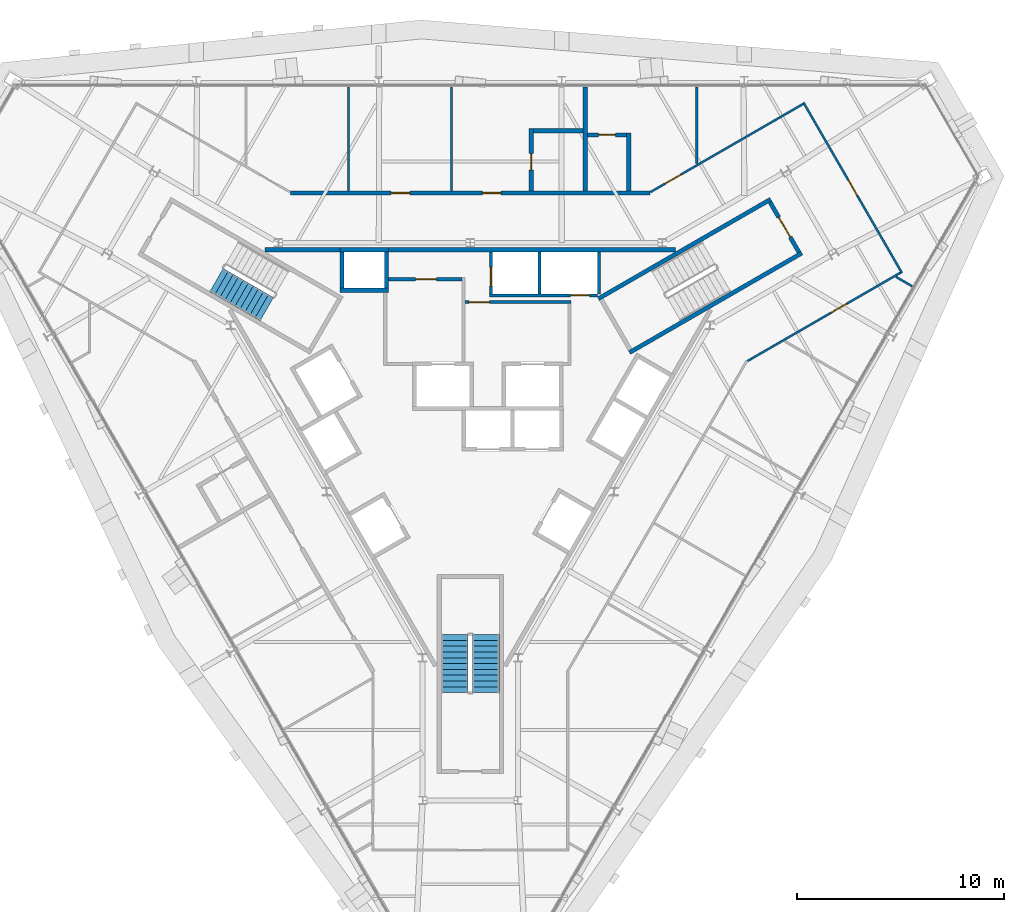
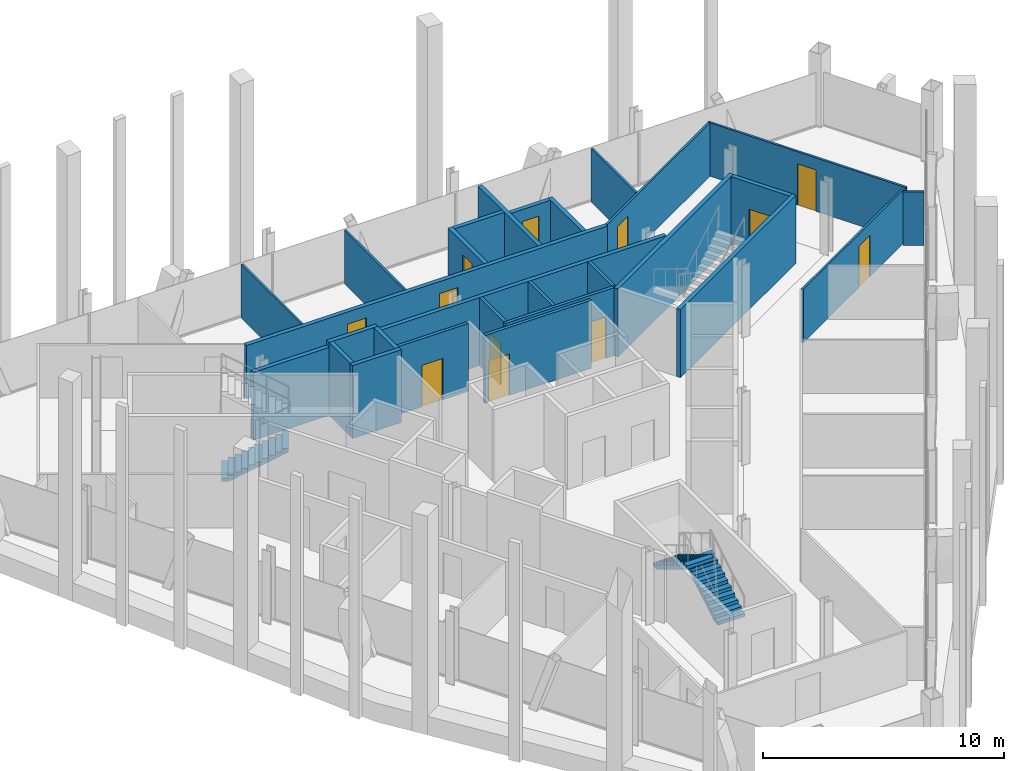
# One storey, part 11 of 14: 28 walls, 12 doors, 3 stair flights, 12 openings, 2 elements without a shape of their own.
"""IFC4 building model written with IfcOpenShell, lengths in metres."""

from ifc_helpers import new_model, si_unit, direction, frame, frame_2d, origin, place, context, subcontext, project, spatial, polyline, rectangle, outline, extrude, material, layer, layer_set, type_object, element, fill, aggregate, save


model = new_model("IFC4")

# Units and contexts
model_context = context("Model", 3, precision=1e-05, world=origin(), true_north=direction((0.0, 1.0)))
body_context = subcontext(model_context, "Body", "Model", "MODEL_VIEW")
ifc_project = project(units=[si_unit("LENGTHUNIT", "METRE"), si_unit("AREAUNIT", "SQUARE_METRE"), si_unit("VOLUMEUNIT", "CUBIC_METRE"), si_unit("PLANEANGLEUNIT", "RADIAN"), si_unit("MASSUNIT", "GRAM", prefix="KILO")], contexts=[model_context])

# Site, building, storey
site_placement = place(None, origin())
site = spatial("IfcSite", under=ifc_project, at=site_placement, CompositionType="ELEMENT")
building_placement = place(site_placement, origin())
building = spatial("IfcBuilding", under=site, at=building_placement, Name="Verrane Prism Tower", CompositionType="ELEMENT")
storey_placement = place(building_placement, frame((0.0, 0.0, 217.5)))
storey = spatial("IfcBuildingStorey", under=building, at=storey_placement, Name="L54", CompositionType="ELEMENT", Elevation=217.5)

# Walls
ifc_material_1 = material(Name="Gypsum board partition", Category="other")
ifc_layer_1 = layer(ifc_material_1, 0.199951171875)
ifc_layer_set_1 = layer_set([ifc_layer_1], Name="CW-200 core boundary wall 2 h")
wall_type_1 = type_object("IfcWallType", Name="CW-200 core boundary wall 2 h", PredefinedType="PARTITIONING", material=ifc_layer_set_1)
wall_1_placement = place(storey_placement, frame((-9.907958984375, 7.659912109375, 0.0), z_axis=(0.0, 0.0, 1.0), x_axis=(1.0, 0.0, 0.0)))
element("IfcWall", 1, at=wall_1_placement, inside=storey, type_object=wall_type_1, Name="Core boundary wall CW3-002", PredefinedType="PARTITIONING", context=body_context, shape_type="SweptSolid", body=[
    extrude(rectangle(XDim=3.620849609375, YDim=0.199951171875, at=frame_2d((1.810546875, 0.0))), origin(), (0.0, 0.0, 1.0), 3.449951171875),
])
wall_2_placement = place(storey_placement, frame((-3.93310546875, 7.659912109375, 0.0), z_axis=(0.0, 0.0, 1.0), x_axis=(1.0, 0.0, 0.0)))
element("IfcWall", 2, at=wall_2_placement, inside=storey, type_object=wall_type_1, Name="Core boundary wall CW3-005", PredefinedType="PARTITIONING", context=body_context, shape_type="SweptSolid", body=[
    extrude(rectangle(XDim=13.841064453125, YDim=0.199951171875, at=frame_2d((6.92041015625, 0.0))), origin(), (0.0, 0.0, 1.0), 3.449951171875),
])

# Wall, opening, door
ifc_material_2 = material(Name="Concrete C40/50", Category="concrete")
ifc_layer_2 = layer(ifc_material_2, 0.199951171875)
ifc_layer_set_2 = layer_set([ifc_layer_2], Name="CW-200 stair core wall concrete C40/50 3 h")
wall_type_2 = type_object("IfcWallType", Name="CW-200 stair core wall concrete C40/50 3 h", PredefinedType="PARTITIONING", material=ifc_layer_set_2)
wall_3_placement = place(storey_placement, frame((15.85546875, 7.53759765625, 0.0), z_axis=(0.0, 0.0, 1.0), x_axis=(-0.500049511043, 0.865996816683, 0.0)))
wall_3 = element("IfcWall", 3, at=wall_3_placement, inside=storey, type_object=wall_type_2, Name="Stair 1 enclosure wall", PredefinedType="PARTITIONING", context=body_context, shape_type="SweptSolid", body=[
    extrude(rectangle(XDim=2.800048828125, YDim=0.199951171875, at=frame_2d((1.39990234375, 0.0))), origin(), (0.0, 0.0, 1.0), 3.449951171875),
])
opening_1_placement = place(wall_3_placement, frame((0.849853515625, 0.0, 0.0)))
opening_1 = element("IfcOpeningElement", 4, at=opening_1_placement, cuts=wall_3, Name="Opening D54500", PredefinedType="OPENING", context=body_context, shape_type="SweptSolid", body=[
    extrude(rectangle(XDim=1.10009765625, YDim=2.10009765625, at=frame_2d((0.550048828125, 1.050048828125))), frame((0.0, 0.10986328125, 0.0), z_axis=(0.0, -1.0, 0.0), x_axis=(1.0, 0.0, 0.0)), (0.0, 0.0, 1.0), 0.219970703125),
])
ifc_material_3 = material(Name="Timber veneered door leaf", Category="wood")
door_type_1 = type_object("IfcDoorType", Name="DR-1100x2100 FD90 single leaf stair", OperationType="NOTDEFINED", PredefinedType="DOOR", material=ifc_material_3)
door_1_placement = place(opening_1_placement, origin())
door_1 = element("IfcDoor", 5, at=door_1_placement, inside=storey, type_object=door_type_1, Name="Stair 1 door", OperationType="SINGLE_SWING_LEFT", OverallHeight=2.10009765625, OverallWidth=1.10009765625, PredefinedType="DOOR", context=body_context, shape_type="SweptSolid", body=[
    extrude(rectangle(XDim=1.10009765625, YDim=2.10009765625, at=frame_2d((0.550048828125, 1.050048828125))), frame((0.0, 0.02490234375, 0.0), z_axis=(0.0, -1.0, 0.0), x_axis=(1.0, 0.0, 0.0)), (0.0, 0.0, 1.0), 0.050048828125),
])
fill(opening_1, door_1)

# Walls
for number, where, z_axis, x_axis, name in (
    (6, (6.17822265625, 5.299072265625, 0.0), (0.0, 0.0, 1.0), (0.866019993635, 0.500009370536, 0.0), "Stair 1 enclosure wall"),
    (7, (7.67822265625, 2.700927734375, 0.0), (0.0, 0.0, 1.0), (0.866019993635, 0.500009370536, 0.0), "Stair 1 enclosure wall"),
):
    element("IfcWall", number, at=place(storey_placement, frame(where, z_axis=z_axis, x_axis=x_axis)), inside=storey, type_object=wall_type_2, Name=name, PredefinedType="PARTITIONING", context=body_context, shape_type="SweptSolid", body=[
        extrude(rectangle(XDim=9.599853515625, YDim=0.199951171875, at=frame_2d((4.7998046875, 0.0))), origin(), (0.0, 0.0, 1.0), 3.449951171875),
    ])
ifc_material_4 = material(Name="Gypsum board shaft wall assembly", Category="other")
ifc_layer_3 = layer(ifc_material_4, 0.199951171875)
ifc_layer_set_3 = layer_set([ifc_layer_3], Name="HW-200 lift shaft wall 2 h")
wall_type_3 = type_object("IfcWallType", Name="HW-200 lift shaft wall 2 h", PredefinedType="PARTITIONING", material=ifc_layer_set_3)
for number, where, z_axis, x_axis, name in (
    (8, (-6.284912109375, 5.7099609375, 0.0), (0.0, 0.0, 1.0), (1.0, 0.0, 0.0), "Lift shaft wall"),
    (9, (-6.284912109375, 7.659912109375, 0.0), (0.0, 0.0, 1.0), (1.0, 0.0, 0.0), "Lift shaft wall"),
):
    element("IfcWall", number, at=place(storey_placement, frame(where, z_axis=z_axis, x_axis=x_axis)), inside=storey, type_object=wall_type_3, Name=name, PredefinedType="PARTITIONING", context=body_context, shape_type="SweptSolid", body=[
        extrude(rectangle(XDim=2.349853515625, YDim=0.199951171875, at=frame_2d((1.1748046875, 0.0))), origin(), (0.0, 0.0, 1.0), 3.699951171875),
    ])
for number, where, z_axis, x_axis, name in (
    (10, (-4.034912109375, 5.81005859375, 0.0), (0.0, 0.0, 1.0), (0.0, 1.0, 0.0), "Lift shaft wall"),
    (11, (-6.18505859375, 5.81005859375, 0.0), (0.0, 0.0, 1.0), (0.0, 1.0, 0.0), "Lift shaft wall"),
):
    element("IfcWall", number, at=place(storey_placement, frame(where, z_axis=z_axis, x_axis=x_axis)), inside=storey, type_object=wall_type_3, Name=name, PredefinedType="PARTITIONING", context=body_context, shape_type="SweptSolid", body=[
        extrude(rectangle(XDim=1.75, YDim=0.199951171875, at=frame_2d((0.875, 0.0))), origin(), (0.0, 0.0, 1.0), 3.699951171875),
    ])

# Wall, opening, door
ifc_material_5 = material(Name="Gypsum board partition", Category="other")
ifc_layer_4 = layer(ifc_material_5, 0.14990234375)
ifc_layer_set_4 = layer_set([ifc_layer_4], Name="LF-150 firefighting lobby wall 1 h")
wall_type_4 = type_object("IfcWallType", Name="LF-150 firefighting lobby wall 1 h", PredefinedType="PARTITIONING", material=ifc_layer_set_4)
wall_4_placement = place(storey_placement, frame((-3.93310546875, 6.239990234375, 0.0), z_axis=(0.0, 0.0, 1.0), x_axis=(1.0, 0.0, 0.0)))
wall_4 = element("IfcWall", 12, at=wall_4_placement, inside=storey, type_object=wall_type_4, Name="Firefighting lobby wall LF1-003", PredefinedType="PARTITIONING", context=body_context, shape_type="SweptSolid", body=[
    extrude(rectangle(XDim=3.5380859375, YDim=0.14990234375, at=frame_2d((1.76904296875, 0.0))), origin(), (0.0, 0.0, 1.0), 3.449951171875),
])
opening_2_placement = place(wall_4_placement, frame((1.300048828125, 0.0, 0.0)))
opening_2 = element("IfcOpeningElement", 13, at=opening_2_placement, cuts=wall_4, Name="Opening D54511", PredefinedType="OPENING", context=body_context, shape_type="SweptSolid", body=[
    extrude(rectangle(XDim=1.0, YDim=2.10009765625, at=frame_2d((0.5, 1.050048828125))), frame((0.0, 0.0849609375, 0.0), z_axis=(0.0, -1.0, 0.0), x_axis=(1.0, 0.0, 0.0)), (0.0, 0.0, 1.0), 0.169921875),
])
ifc_material_6 = material(Name="Timber veneered door leaf", Category="wood")
door_type_2 = type_object("IfcDoorType", Name="DR-1000x2100 FD60 single leaf firefighting lobby", OperationType="NOTDEFINED", PredefinedType="DOOR", material=ifc_material_6)
door_2_placement = place(opening_2_placement, origin())
door_2 = element("IfcDoor", 14, at=door_2_placement, inside=storey, type_object=door_type_2, Name="Firefighting lobby door D54511", OperationType="SINGLE_SWING_LEFT", OverallHeight=2.10009765625, OverallWidth=1.0, PredefinedType="DOOR", context=body_context, shape_type="SweptSolid", body=[
    extrude(rectangle(XDim=1.0, YDim=2.10009765625, at=frame_2d((0.5, 1.050048828125))), frame((0.0, 0.02490234375, 0.0), z_axis=(0.0, -1.0, 0.0), x_axis=(1.0, 0.0, 0.0)), (0.0, 0.0, 1.0), 0.050048828125),
])
fill(opening_2, door_2)

wall_5_placement = place(storey_placement, frame((-0.2451171875, 5.139892578125, 0.0), z_axis=(0.0, 0.0, 1.0), x_axis=(1.0, 0.0, 0.0)))
wall_5 = element("IfcWall", 15, at=wall_5_placement, inside=storey, type_object=wall_type_4, Name="Firefighting lobby wall LF1-005", PredefinedType="PARTITIONING", context=body_context, shape_type="SweptSolid", body=[
    extrude(rectangle(XDim=5.110107421875, YDim=0.14990234375, at=frame_2d((2.55517578125, 0.0))), origin(), (0.0, 0.0, 1.0), 3.449951171875),
])
opening_3_placement = place(wall_5_placement, frame((0.175048828125, 0.0, 0.0)))
opening_3 = element("IfcOpeningElement", 16, at=opening_3_placement, cuts=wall_5, Name="Opening D54512", PredefinedType="OPENING", context=body_context, shape_type="SweptSolid", body=[
    extrude(rectangle(XDim=1.0, YDim=2.10009765625, at=frame_2d((0.5, 1.050048828125))), frame((0.0, 0.0849609375, 0.0), z_axis=(0.0, -1.0, 0.0), x_axis=(1.0, 0.0, 0.0)), (0.0, 0.0, 1.0), 0.169921875),
])
door_3_placement = place(opening_3_placement, origin())
door_3 = element("IfcDoor", 17, at=door_3_placement, inside=storey, type_object=door_type_2, Name="Firefighting lobby door D54512", OperationType="SINGLE_SWING_LEFT", OverallHeight=2.10009765625, OverallWidth=1.0, PredefinedType="DOOR", context=body_context, shape_type="SweptSolid", body=[
    extrude(rectangle(XDim=1.0, YDim=2.10009765625, at=frame_2d((0.5, 1.050048828125))), frame((0.0, 0.02490234375, 0.0), z_axis=(0.0, -1.0, 0.0), x_axis=(1.0, 0.0, 0.0)), (0.0, 0.0, 1.0), 0.050048828125),
])
fill(opening_3, door_3)

# Walls
ifc_material_7 = material(Name="Gypsum board partition", Category="other")
ifc_layer_5 = layer(ifc_material_7, 0.10009765625)
ifc_layer_set_5 = layer_set([ifc_layer_5], Name="PW-100 room partition")
wall_type_5 = type_object("IfcWallType", Name="PW-100 room partition", PredefinedType="PARTITIONING", material=ifc_layer_set_5)
for number, where, z_axis, x_axis, name in (
    (18, (-5.865966796875, 10.5, 0.0), (0.0, 0.0, 1.0), (0.0, 1.0, 0.0), "Room partition 016"),
    (19, (-0.9150390625, 10.5, 0.0), (0.0, 0.0, 1.0), (0.0, 1.0, 0.0), "Room partition 022"),
):
    element("IfcWall", number, at=place(storey_placement, frame(where, z_axis=z_axis, x_axis=x_axis)), inside=storey, type_object=wall_type_5, Name=name, PredefinedType="PARTITIONING", context=body_context, shape_type="SweptSolid", body=[
        extrude(rectangle(XDim=5.006103515625, YDim=0.10009765625, at=frame_2d((2.5029296875, 0.0))), origin(), (0.0, 0.0, 1.0), 2.712890625),
    ])

# Wall, opening, door
wall_6_placement = place(storey_placement, frame((8.690673828125, 10.4423828125, 0.0), z_axis=(0.0, 0.0, 1.0), x_axis=(0.866070360466, 0.499922124658, 0.0)))
wall_6 = element("IfcWall", 20, at=wall_6_placement, inside=storey, type_object=wall_type_5, Name="Room partition 032", PredefinedType="PARTITIONING", context=body_context, shape_type="SweptSolid", body=[
    extrude(rectangle(XDim=8.502685546875, YDim=0.10009765625, at=frame_2d((4.25146484375, 0.0))), origin(), (0.0, 0.0, 1.0), 2.712890625),
])
opening_4_placement = place(wall_6_placement, frame((0.81494140625, 0.0, 0.0)))
opening_4 = element("IfcOpeningElement", 21, at=opening_4_placement, cuts=wall_6, Name="Opening D54007", PredefinedType="OPENING", context=body_context, shape_type="SweptSolid", body=[
    extrude(rectangle(XDim=0.89990234375, YDim=2.10009765625, at=frame_2d((0.449951171875, 1.050048828125))), frame((0.0, 0.06005859375, 0.0), z_axis=(0.0, -1.0, 0.0), x_axis=(1.0, 0.0, 0.0)), (0.0, 0.0, 1.0), 0.1201171875),
])
ifc_material_8 = material(Name="Timber veneered door leaf", Category="wood")
door_type_3 = type_object("IfcDoorType", Name="DR-900x2100 single leaf inner", OperationType="NOTDEFINED", PredefinedType="DOOR", material=ifc_material_8)
door_4_placement = place(opening_4_placement, origin())
door_4 = element("IfcDoor", 22, at=door_4_placement, inside=storey, type_object=door_type_3, Name="Bedroom door", OperationType="SINGLE_SWING_LEFT", OverallHeight=2.10009765625, OverallWidth=0.89990234375, PredefinedType="DOOR", context=body_context, shape_type="SweptSolid", body=[
    extrude(rectangle(XDim=0.89990234375, YDim=2.10009765625, at=frame_2d((0.449951171875, 1.050048828125))), frame((0.0, 0.02490234375, 0.0), z_axis=(0.0, -1.0, 0.0), x_axis=(1.0, 0.0, 0.0)), (0.0, 0.0, 1.0), 0.050048828125),
])
fill(opening_4, door_4)

# Wall
wall_7_placement = place(storey_placement, frame((10.925048828125, 11.818603515625, 0.0), z_axis=(0.0, 0.0, 1.0), x_axis=(0.0, 1.0, 0.0)))
element("IfcWall", 23, at=wall_7_placement, inside=storey, type_object=wall_type_5, Name="Room partition 034", PredefinedType="PARTITIONING", context=body_context, shape_type="SweptSolid", body=[
    extrude(rectangle(XDim=3.6875, YDim=0.10009765625, at=frame_2d((1.84375, 0.0))), origin(), (0.0, 0.0, 1.0), 2.712890625),
])

# Wall, opening, door
wall_8_placement = place(storey_placement, frame((20.755615234375, 6.556884765625, 0.0), z_axis=(0.0, 0.0, 1.0), x_axis=(-0.866069146081, -0.499924228466, 0.0)))
wall_8 = element("IfcWall", 24, at=wall_8_placement, inside=storey, type_object=wall_type_5, Name="Room partition 036", PredefinedType="PARTITIONING", context=body_context, shape_type="SweptSolid", body=[
    extrude(rectangle(XDim=8.518798828125, YDim=0.10009765625, at=frame_2d((4.25927734375, 0.0))), origin(), (0.0, 0.0, 1.0), 2.712890625),
])
opening_5_placement = place(wall_8_placement, frame((2.986083984375, 0.0, 0.0)))
opening_5 = element("IfcOpeningElement", 25, at=opening_5_placement, cuts=wall_8, Name="Opening D54005", PredefinedType="OPENING", context=body_context, shape_type="SweptSolid", body=[
    extrude(rectangle(XDim=0.89990234375, YDim=2.10009765625, at=frame_2d((0.449951171875, 1.050048828125))), frame((0.0, 0.06005859375, 0.0), z_axis=(0.0, -1.0, 0.0), x_axis=(1.0, 0.0, 0.0)), (0.0, 0.0, 1.0), 0.1201171875),
])
ifc_material_9 = material(Name="Timber veneered door leaf", Category="wood")
door_type_4 = type_object("IfcDoorType", Name="DR-900x2100 single leaf unit", OperationType="NOTDEFINED", PredefinedType="DOOR", material=ifc_material_9)
door_5_placement = place(opening_5_placement, origin())
door_5 = element("IfcDoor", 26, at=door_5_placement, inside=storey, type_object=door_type_4, Name="Study door", OperationType="SINGLE_SWING_RIGHT", OverallHeight=2.10009765625, OverallWidth=0.89990234375, PredefinedType="DOOR", context=body_context, shape_type="SweptSolid", body=[
    extrude(rectangle(XDim=0.89990234375, YDim=2.10009765625, at=frame_2d((0.449951171875, 1.050048828125))), frame((0.0, 0.02490234375, 0.0), z_axis=(0.0, -1.0, 0.0), x_axis=(1.0, 0.0, 0.0)), (0.0, 0.0, 1.0), 0.050048828125),
])
fill(opening_5, door_5)

wall_9_placement = place(storey_placement, frame((16.072998046875, 14.76123046875, 0.0), z_axis=(0.0, 0.0, 1.0), x_axis=(0.500297300687, -0.865853689098, 0.0)))
wall_9 = element("IfcWall", 27, at=wall_9_placement, inside=storey, type_object=wall_type_5, Name="Room partition 038", PredefinedType="PARTITIONING", context=body_context, shape_type="SweptSolid", body=[
    extrude(rectangle(XDim=9.496337890625, YDim=0.10009765625, at=frame_2d((4.748046875, 0.0))), origin(), (0.0, 0.0, 1.0), 2.712890625),
])
opening_6_placement = place(wall_9_placement, frame((4.300048828125, 0.0, 0.0)))
opening_6 = element("IfcOpeningElement", 28, at=opening_6_placement, cuts=wall_9, Name="Opening D54006", PredefinedType="OPENING", context=body_context, shape_type="SweptSolid", body=[
    extrude(rectangle(XDim=0.89990234375, YDim=2.10009765625, at=frame_2d((0.449951171875, 1.050048828125))), frame((0.0, 0.06005859375, 0.0), z_axis=(0.0, -1.0, 0.0), x_axis=(1.0, 0.0, 0.0)), (0.0, 0.0, 1.0), 0.1201171875),
])
door_6_placement = place(opening_6_placement, origin())
door_6 = element("IfcDoor", 29, at=door_6_placement, inside=storey, type_object=door_type_4, Name="Kitchen door", OperationType="SINGLE_SWING_RIGHT", OverallHeight=2.10009765625, OverallWidth=0.89990234375, PredefinedType="DOOR", context=body_context, shape_type="SweptSolid", body=[
    extrude(rectangle(XDim=0.89990234375, YDim=2.10009765625, at=frame_2d((0.449951171875, 1.050048828125))), frame((0.0, 0.02490234375, 0.0), z_axis=(0.0, -1.0, 0.0), x_axis=(1.0, 0.0, 0.0)), (0.0, 0.0, 1.0), 0.050048828125),
])
fill(opening_6, door_6)

# Wall
wall_10_placement = place(storey_placement, frame((20.54296875, 6.34765625, 0.0), z_axis=(0.0, 0.0, 1.0), x_axis=(0.865952303503, -0.500126592033, 0.0)))
element("IfcWall", 30, at=wall_10_placement, inside=storey, type_object=wall_type_5, Name="Room partition 039", PredefinedType="PARTITIONING", context=body_context, shape_type="SweptSolid", body=[
    extrude(rectangle(XDim=0.888916015625, YDim=0.10009765625, at=frame_2d((0.4443359375, 0.0))), origin(), (0.0, 0.0, 1.0), 2.712890625),
])

# Wall, openings, doors
ifc_material_10 = material(Name="Gypsum board partition", Category="other")
ifc_layer_6 = layer(ifc_material_10, 0.199951171875)
ifc_layer_set_6 = layer_set([ifc_layer_6], Name="PW-200 plumbing wall")
wall_type_6 = type_object("IfcWallType", Name="PW-200 plumbing wall", PredefinedType="PARTITIONING", material=ifc_layer_set_6)
wall_11_placement = place(storey_placement, frame((-8.6669921875, 10.39990234375, 0.0), z_axis=(0.0, 0.0, 1.0), x_axis=(1.0, 0.0, 0.0)))
wall_11 = element("IfcWall", 31, at=wall_11_placement, inside=storey, type_object=wall_type_6, Name="Plumbing wall 014", PredefinedType="PARTITIONING", context=body_context, shape_type="SweptSolid", body=[
    extrude(rectangle(XDim=17.333984375, YDim=0.199951171875, at=frame_2d((8.6669921875, 0.0))), origin(), (0.0, 0.0, 1.0), 2.712890625),
])
opening_7_placement = place(wall_11_placement, frame((9.251953125, 0.0, 0.0)))
opening_7 = element("IfcOpeningElement", 32, at=opening_7_placement, cuts=wall_11, Name="Opening D54009", PredefinedType="OPENING", context=body_context, shape_type="SweptSolid", body=[
    extrude(rectangle(XDim=0.89990234375, YDim=2.10009765625, at=frame_2d((0.449951171875, 1.050048828125))), frame((0.0, 0.10986328125, 0.0), z_axis=(0.0, -1.0, 0.0), x_axis=(1.0, 0.0, 0.0)), (0.0, 0.0, 1.0), 0.219970703125),
])
opening_8_placement = place(wall_11_placement, frame((4.85107421875, 0.0, 0.0)))
opening_8 = element("IfcOpeningElement", 33, at=opening_8_placement, cuts=wall_11, Name="Opening D54011", PredefinedType="OPENING", context=body_context, shape_type="SweptSolid", body=[
    extrude(rectangle(XDim=0.89990234375, YDim=2.10009765625, at=frame_2d((0.449951171875, 1.050048828125))), frame((0.0, 0.10986328125, 0.0), z_axis=(0.0, -1.0, 0.0), x_axis=(1.0, 0.0, 0.0)), (0.0, 0.0, 1.0), 0.219970703125),
])
door_7_placement = place(opening_7_placement, origin())
door_7 = element("IfcDoor", 34, at=door_7_placement, inside=storey, type_object=door_type_3, Name="Master Bedroom door", OperationType="SINGLE_SWING_LEFT", OverallHeight=2.10009765625, OverallWidth=0.89990234375, PredefinedType="DOOR", context=body_context, shape_type="SweptSolid", body=[
    extrude(rectangle(XDim=0.89990234375, YDim=2.10009765625, at=frame_2d((0.449951171875, 1.050048828125))), frame((0.0, 0.02490234375, 0.0), z_axis=(0.0, -1.0, 0.0), x_axis=(1.0, 0.0, 0.0)), (0.0, 0.0, 1.0), 0.050048828125),
])
fill(opening_7, door_7)
door_8_placement = place(opening_8_placement, origin())
door_8 = element("IfcDoor", 35, at=door_8_placement, inside=storey, type_object=door_type_4, Name="Utility Room door", OperationType="SINGLE_SWING_LEFT", OverallHeight=2.10009765625, OverallWidth=0.89990234375, PredefinedType="DOOR", context=body_context, shape_type="SweptSolid", body=[
    extrude(rectangle(XDim=0.89990234375, YDim=2.10009765625, at=frame_2d((0.449951171875, 1.050048828125))), frame((0.0, 0.02490234375, 0.0), z_axis=(0.0, -1.0, 0.0), x_axis=(1.0, 0.0, 0.0)), (0.0, 0.0, 1.0), 0.050048828125),
])
fill(opening_8, door_8)

# Wall, opening, door
wall_12_placement = place(storey_placement, frame((2.943115234375, 13.5, 0.0), z_axis=(0.0, 0.0, 1.0), x_axis=(0.0, -1.0, 0.0)))
wall_12 = element("IfcWall", 36, at=wall_12_placement, inside=storey, type_object=wall_type_6, Name="Plumbing wall 023", PredefinedType="PARTITIONING", context=body_context, shape_type="SweptSolid", body=[
    extrude(rectangle(XDim=3.0, YDim=0.199951171875, at=frame_2d((1.5, 0.0))), origin(), (0.0, 0.0, 1.0), 2.712890625),
])
opening_9_placement = place(wall_12_placement, frame((1.199951171875, 0.0, 0.0)))
opening_9 = element("IfcOpeningElement", 37, at=opening_9_placement, cuts=wall_12, Name="Opening D54010", PredefinedType="OPENING", context=body_context, shape_type="SweptSolid", body=[
    extrude(rectangle(XDim=0.800048828125, YDim=2.10009765625, at=frame_2d((0.39990234375, 1.050048828125))), frame((0.0, 0.10986328125, 0.0), z_axis=(0.0, -1.0, 0.0), x_axis=(1.0, 0.0, 0.0)), (0.0, 0.0, 1.0), 0.219970703125),
])
ifc_material_11 = material(Name="Timber veneered door leaf", Category="wood")
door_type_5 = type_object("IfcDoorType", Name="DR-800x2100 single leaf bath", OperationType="NOTDEFINED", PredefinedType="DOOR", material=ifc_material_11)
door_9_placement = place(opening_9_placement, origin())
door_9 = element("IfcDoor", 38, at=door_9_placement, inside=storey, type_object=door_type_5, Name="Master Bathroom door", OperationType="SINGLE_SWING_LEFT", OverallHeight=2.10009765625, OverallWidth=0.800048828125, PredefinedType="DOOR", context=body_context, shape_type="SweptSolid", body=[
    extrude(rectangle(XDim=0.800048828125, YDim=2.10009765625, at=frame_2d((0.39990234375, 1.050048828125))), frame((0.0, 0.02490234375, 0.0), z_axis=(0.0, -1.0, 0.0), x_axis=(1.0, 0.0, 0.0)), (0.0, 0.0, 1.0), 0.050048828125),
])
fill(opening_9, door_9)

# Walls
wall_13_placement = place(storey_placement, frame((3.04296875, 13.39990234375, 0.0), z_axis=(0.0, 0.0, 1.0), x_axis=(1.0, 0.0, 0.0)))
element("IfcWall", 39, at=wall_13_placement, inside=storey, type_object=wall_type_6, Name="Plumbing wall 024", PredefinedType="PARTITIONING", context=body_context, shape_type="SweptSolid", body=[
    extrude(rectangle(XDim=2.400146484375, YDim=0.199951171875, at=frame_2d((1.2001953125, 0.0))), origin(), (0.0, 0.0, 1.0), 2.712890625),
])
wall_14_placement = place(storey_placement, frame((5.54296875, 10.5, 0.0), z_axis=(0.0, 0.0, 1.0), x_axis=(0.0, 1.0, 0.0)))
element("IfcWall", 40, at=wall_14_placement, inside=storey, type_object=wall_type_6, Name="Plumbing wall 028", PredefinedType="PARTITIONING", context=body_context, shape_type="SweptSolid", body=[
    extrude(rectangle(XDim=5.006103515625, YDim=0.199951171875, at=frame_2d((2.5029296875, 0.0))), origin(), (0.0, 0.0, 1.0), 2.712890625),
])

# Wall, opening, door
wall_15_placement = place(storey_placement, frame((7.54296875, 13.199951171875, 0.0), z_axis=(0.0, 0.0, 1.0), x_axis=(-1.0, 0.0, 0.0)))
wall_15 = element("IfcWall", 41, at=wall_15_placement, inside=storey, type_object=wall_type_6, Name="Plumbing wall 029", PredefinedType="PARTITIONING", context=body_context, shape_type="SweptSolid", body=[
    extrude(rectangle(XDim=1.89990234375, YDim=0.199951171875, at=frame_2d((0.949951171875, 0.0))), origin(), (0.0, 0.0, 1.0), 2.712890625),
])
opening_10_placement = place(wall_15_placement, frame((0.550048828125, 0.0, 0.0)))
opening_10 = element("IfcOpeningElement", 42, at=opening_10_placement, cuts=wall_15, Name="Opening D54008", PredefinedType="OPENING", context=body_context, shape_type="SweptSolid", body=[
    extrude(rectangle(XDim=0.800048828125, YDim=2.10009765625, at=frame_2d((0.39990234375, 1.050048828125))), frame((0.0, 0.10986328125, 0.0), z_axis=(0.0, -1.0, 0.0), x_axis=(1.0, 0.0, 0.0)), (0.0, 0.0, 1.0), 0.219970703125),
])
door_10_placement = place(opening_10_placement, origin())
door_10 = element("IfcDoor", 43, at=door_10_placement, inside=storey, type_object=door_type_5, Name="Bathroom door", OperationType="SINGLE_SWING_LEFT", OverallHeight=2.10009765625, OverallWidth=0.800048828125, PredefinedType="DOOR", context=body_context, shape_type="SweptSolid", body=[
    extrude(rectangle(XDim=0.800048828125, YDim=2.10009765625, at=frame_2d((0.39990234375, 1.050048828125))), frame((0.0, 0.02490234375, 0.0), z_axis=(0.0, -1.0, 0.0), x_axis=(1.0, 0.0, 0.0)), (0.0, 0.0, 1.0), 0.050048828125),
])
fill(opening_10, door_10)

# Wall
wall_16_placement = place(storey_placement, frame((7.64306640625, 10.5, 0.0), z_axis=(0.0, 0.0, 1.0), x_axis=(0.0, 1.0, 0.0)))
element("IfcWall", 44, at=wall_16_placement, inside=storey, type_object=wall_type_6, Name="Plumbing wall 031", PredefinedType="PARTITIONING", context=body_context, shape_type="SweptSolid", body=[
    extrude(rectangle(XDim=2.800048828125, YDim=0.199951171875, at=frame_2d((1.39990234375, 0.0))), origin(), (0.0, 0.0, 1.0), 2.712890625),
])

# Wall, opening, door
ifc_material_12 = material(Name="Gypsum board partition", Category="other")
ifc_layer_7 = layer(ifc_material_12, 0.14990234375)
ifc_layer_set_7 = layer_set([ifc_layer_7], Name="RS-150 riser enclosure wall 1 h")
wall_type_7 = type_object("IfcWallType", Name="RS-150 riser enclosure wall 1 h", PredefinedType="PARTITIONING", material=ifc_layer_set_7)
wall_17_placement = place(storey_placement, frame((1.0, 7.56005859375, 0.0), z_axis=(0.0, 0.0, 1.0), x_axis=(0.0, -1.0, 0.0)))
wall_17 = element("IfcWall", 45, at=wall_17_placement, inside=storey, type_object=wall_type_7, Name="Riser wall RS3-001", PredefinedType="PARTITIONING", context=body_context, shape_type="SweptSolid", body=[
    extrude(rectangle(XDim=2.025146484375, YDim=0.14990234375, at=frame_2d((1.0126953125, 0.0))), origin(), (0.0, 0.0, 1.0), 3.449951171875),
])
opening_11_placement = place(wall_17_placement, frame((0.75, 0.0, 0.0)))
opening_11 = element("IfcOpeningElement", 46, at=opening_11_placement, cuts=wall_17, Name="Opening D54513", PredefinedType="OPENING", context=body_context, shape_type="SweptSolid", body=[
    extrude(rectangle(XDim=0.89990234375, YDim=2.10009765625, at=frame_2d((0.449951171875, 1.050048828125))), frame((0.0, 0.0849609375, 0.0), z_axis=(0.0, -1.0, 0.0), x_axis=(1.0, 0.0, 0.0)), (0.0, 0.0, 1.0), 0.169921875),
])
ifc_material_13 = material(Name="Timber veneered door leaf", Category="wood")
door_type_6 = type_object("IfcDoorType", Name="DR-900x2100 FD60 single leaf riser", OperationType="NOTDEFINED", PredefinedType="DOOR", material=ifc_material_13)
door_11_placement = place(opening_11_placement, origin())
door_11 = element("IfcDoor", 47, at=door_11_placement, inside=storey, type_object=door_type_6, Name="Riser door D54513", OperationType="SINGLE_SWING_RIGHT", OverallHeight=2.10009765625, OverallWidth=0.89990234375, PredefinedType="DOOR", context=body_context, shape_type="SweptSolid", body=[
    extrude(rectangle(XDim=0.89990234375, YDim=2.10009765625, at=frame_2d((0.449951171875, 1.050048828125))), frame((0.0, 0.02490234375, 0.0), z_axis=(0.0, -1.0, 0.0), x_axis=(1.0, 0.0, 0.0)), (0.0, 0.0, 1.0), 0.050048828125),
])
fill(opening_11, door_11)

wall_18_placement = place(storey_placement, frame((0.925048828125, 5.4599609375, 0.0), z_axis=(0.0, 0.0, 1.0), x_axis=(1.0, 0.0, 0.0)))
wall_18 = element("IfcWall", 48, at=wall_18_placement, inside=storey, type_object=wall_type_7, Name="Riser wall RS3-002", PredefinedType="PARTITIONING", context=body_context, shape_type="SweptSolid", body=[
    extrude(rectangle(XDim=5.219970703125, YDim=0.14990234375, at=frame_2d((2.60986328125, 0.0))), origin(), (0.0, 0.0, 1.0), 3.449951171875),
])
opening_12_placement = place(wall_18_placement, frame((3.9150390625, 0.0, 0.0)))
opening_12 = element("IfcOpeningElement", 49, at=opening_12_placement, cuts=wall_18, Name="Opening D54514", PredefinedType="OPENING", context=body_context, shape_type="SweptSolid", body=[
    extrude(rectangle(XDim=0.89990234375, YDim=2.10009765625, at=frame_2d((0.449951171875, 1.050048828125))), frame((0.0, 0.0849609375, 0.0), z_axis=(0.0, -1.0, 0.0), x_axis=(1.0, 0.0, 0.0)), (0.0, 0.0, 1.0), 0.169921875),
])
door_12_placement = place(opening_12_placement, origin())
door_12 = element("IfcDoor", 50, at=door_12_placement, inside=storey, type_object=door_type_6, Name="Riser door D54514", OperationType="SINGLE_SWING_RIGHT", OverallHeight=2.10009765625, OverallWidth=0.89990234375, PredefinedType="DOOR", context=body_context, shape_type="SweptSolid", body=[
    extrude(rectangle(XDim=0.89990234375, YDim=2.10009765625, at=frame_2d((0.449951171875, 1.050048828125))), frame((0.0, 0.02490234375, 0.0), z_axis=(0.0, -1.0, 0.0), x_axis=(1.0, 0.0, 0.0)), (0.0, 0.0, 1.0), 0.050048828125),
])
fill(opening_12, door_12)

# Walls
for number, where, z_axis, x_axis, name in (
    (51, (3.340087890625, 5.534912109375, 0.0), (0.0, 0.0, 1.0), (0.0, 1.0, 0.0), "Riser wall RS3-003"),
    (52, (6.199951171875, 5.534912109375, 0.0), (0.0, 0.0, 1.0), (0.0, 1.0, 0.0), "Riser wall RS3-004"),
):
    element("IfcWall", number, at=place(storey_placement, frame(where, z_axis=z_axis, x_axis=x_axis)), inside=storey, type_object=wall_type_7, Name=name, PredefinedType="PARTITIONING", context=body_context, shape_type="SweptSolid", body=[
        extrude(rectangle(XDim=2.025146484375, YDim=0.14990234375, at=frame_2d((1.0126953125, 0.0))), origin(), (0.0, 0.0, 1.0), 3.449951171875),
    ])

# Stair, stair flight
ifc_material_14 = material(Name="Concrete C40/50", Category="concrete")
stair_type = type_object("IfcStairType", Name="Exit stair 1300 dog-leg precast concrete C40/50", PredefinedType="HALF_TURN_STAIR", material=ifc_material_14)
stair_1_placement = place(storey_placement, origin())
stair_1 = element("IfcStair", 53, at=stair_1_placement, inside=storey, type_object=stair_type, Name="Stair 2 L54", PredefinedType="HALF_TURN_STAIR")
ifc_material_15 = material(Name="Concrete C40/50", Category="concrete")
stair_flight_type = type_object("IfcStairFlightType", Name="Stair flight 1300 precast concrete C40/50", PredefinedType="STRAIGHT", material=ifc_material_15)
stair_flight_1_placement = place(storey_placement, frame((-12.239501953125, 6.200439453125, 0.0), z_axis=(0.0, 0.0, 1.0), x_axis=(0.866025403784, -0.5, 0.0)))
stair_flight_1 = element("IfcStairFlight", 54, at=stair_flight_1_placement, type_object=stair_flight_type, Name="Stair 2 flight 1", NumberOfRisers=11, NumberOfTreads=10, PredefinedType="STRAIGHT", RiserHeight=0.168181818, TreadLength=0.28, context=body_context, shape_type="SweptSolid", body=[
    extrude(outline(polyline([(0.0, 0.0), (0.0, 0.168212890625), (0.280029296875, 0.168212890625), (0.280029296875, 0.33642578125), (0.56005859375, 0.33642578125), (0.56005859375, 0.504638671875), (0.840087890625, 0.504638671875), (0.840087890625, 0.672607421875), (1.1201171875, 0.672607421875), (1.1201171875, 0.8408203125), (1.39990234375, 0.8408203125), (1.39990234375, 1.009033203125), (1.679931640625, 1.009033203125), (1.679931640625, 1.17724609375), (1.9599609375, 1.17724609375), (1.9599609375, 1.345458984375), (2.239990234375, 1.345458984375), (2.239990234375, 1.513671875), (2.52001953125, 1.513671875), (2.52001953125, 1.681884765625), (2.800048828125, 1.681884765625), (2.800048828125, 1.85009765625), (2.800048828125, 1.5068359375), (0.291015625, 0.0), (0.0, 0.0)])), frame((0.0, 0.64990234375, 0.0), z_axis=(0.0, -1.0, 0.0), x_axis=(1.0, 0.0, 0.0)), (0.0, 0.0, 1.0), 1.300048828125),
])
aggregate(stair_1, [stair_flight_1])

# Stair, stair flights
stair_2_placement = place(storey_placement, origin())
stair_2 = element("IfcStair", 55, at=stair_2_placement, inside=storey, type_object=stair_type, Name="Stair 3 L54", PredefinedType="HALF_TURN_STAIR")
stair_flight_2_placement = place(storey_placement, frame((0.75, -13.699951171875, 0.0), z_axis=(0.0, 0.0, 1.0), x_axis=(0.0, 1.0, 0.0)))
stair_flight_2 = element("IfcStairFlight", 56, at=stair_flight_2_placement, type_object=stair_flight_type, Name="Stair 3 flight 1", NumberOfRisers=11, NumberOfTreads=10, PredefinedType="STRAIGHT", RiserHeight=0.168181818, TreadLength=0.28, context=body_context, shape_type="SweptSolid", body=[
    extrude(outline(polyline([(0.0, 0.0), (0.0, 0.168212890625), (0.280029296875, 0.168212890625), (0.280029296875, 0.33642578125), (0.56005859375, 0.33642578125), (0.56005859375, 0.504638671875), (0.840087890625, 0.504638671875), (0.840087890625, 0.672607421875), (1.1201171875, 0.672607421875), (1.1201171875, 0.8408203125), (1.39990234375, 0.8408203125), (1.39990234375, 1.009033203125), (1.679931640625, 1.009033203125), (1.679931640625, 1.17724609375), (1.9599609375, 1.17724609375), (1.9599609375, 1.345458984375), (2.239990234375, 1.345458984375), (2.239990234375, 1.513671875), (2.52001953125, 1.513671875), (2.52001953125, 1.681884765625), (2.800048828125, 1.681884765625), (2.800048828125, 1.85009765625), (2.800048828125, 1.5068359375), (0.291015625, 0.0), (0.0, 0.0)])), frame((0.0, 0.64990234375, 0.0), z_axis=(0.0, -1.0, 0.0), x_axis=(1.0, 0.0, 0.0)), (0.0, 0.0, 1.0), 1.300048828125),
])
stair_flight_3_placement = place(storey_placement, frame((-0.75, -10.89990234375, 1.85009765625), z_axis=(0.0, 0.0, 1.0), x_axis=(0.0, -1.0, 0.0)))
stair_flight_3 = element("IfcStairFlight", 57, at=stair_flight_3_placement, type_object=stair_flight_type, Name="Stair 3 flight 2", NumberOfRisers=11, NumberOfTreads=10, PredefinedType="STRAIGHT", RiserHeight=0.168181818, TreadLength=0.28, context=body_context, shape_type="SweptSolid", body=[
    extrude(outline(polyline([(0.0, 0.0), (0.0, 0.168212890625), (0.280029296875, 0.168212890625), (0.280029296875, 0.33642578125), (0.56005859375, 0.33642578125), (0.56005859375, 0.504638671875), (0.840087890625, 0.504638671875), (0.840087890625, 0.672607421875), (1.1201171875, 0.672607421875), (1.1201171875, 0.8408203125), (1.39990234375, 0.8408203125), (1.39990234375, 1.009033203125), (1.679931640625, 1.009033203125), (1.679931640625, 1.17724609375), (1.9599609375, 1.17724609375), (1.9599609375, 1.345458984375), (2.239990234375, 1.345458984375), (2.239990234375, 1.513671875), (2.52001953125, 1.513671875), (2.52001953125, 1.681884765625), (2.800048828125, 1.681884765625), (2.800048828125, 1.85009765625), (2.800048828125, 1.5068359375), (0.291015625, 0.0), (0.0, 0.0)])), frame((0.0, 0.64990234375, 0.0), z_axis=(0.0, -1.0, 0.0), x_axis=(1.0, 0.0, 0.0)), (0.0, 0.0, 1.0), 1.300048828125),
])
aggregate(stair_2, [stair_flight_2, stair_flight_3])

save(model, "model.ifc")
